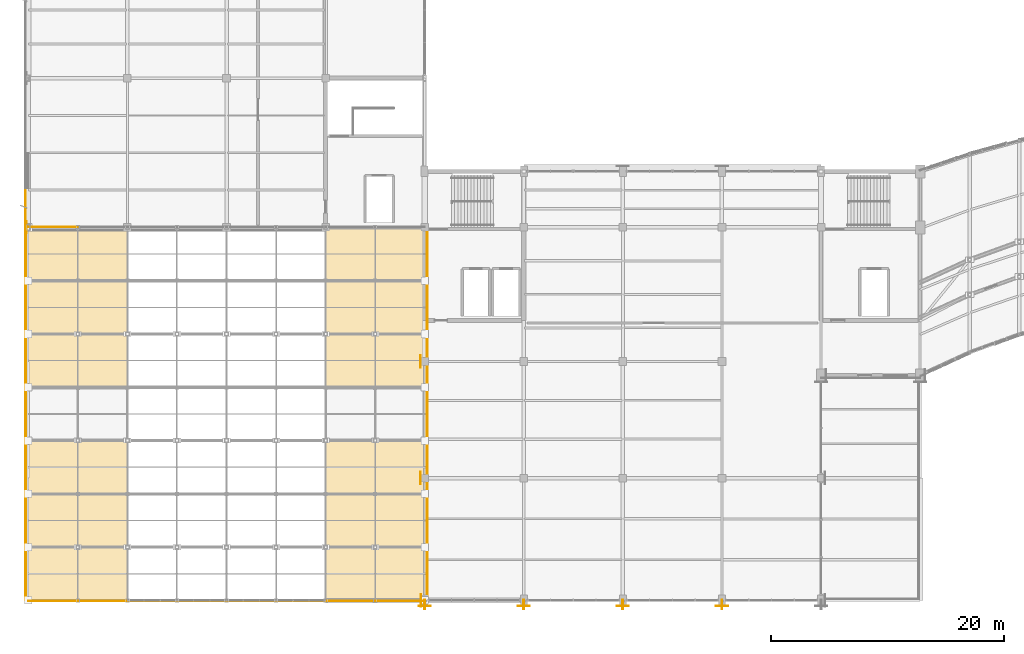
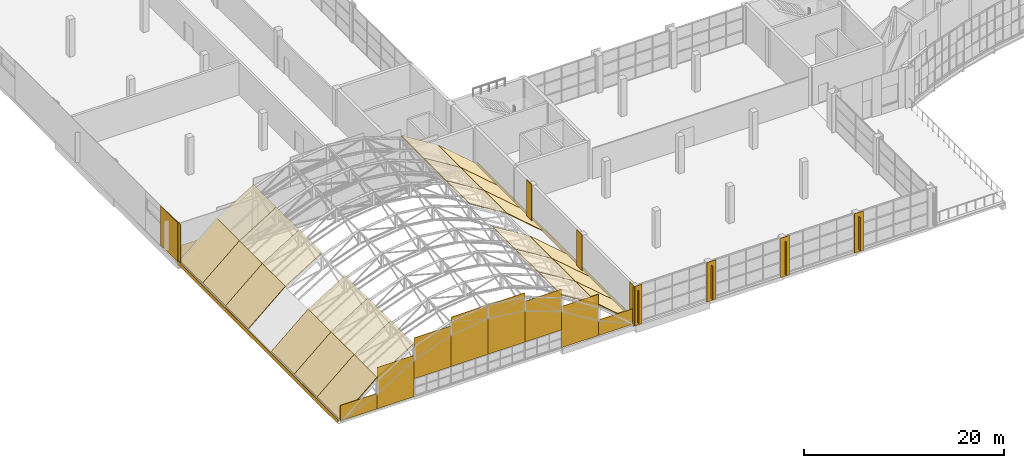
# One storey, part 77 of 86: 44 coverings, 4 shading devices.
"""IFC4 building model written with IfcOpenShell, lengths in metres."""

import ifcopenshell
import ifcopenshell.guid

model = None  # the IFC model being written
_history = None  # IfcOwnerHistory: only IFC2X3 demands one
_inside = {}  # id of a spatial element -> (the spatial element, [elements in it])
_under = {}  # id of a project, library or spatial element -> (it, [spatial elements below it])
_declared = {}  # id of a project -> (the project, [libraries it declares])
_typed = {}  # id of a type object -> (the type object, [elements of that type])
_made_of = {}  # id of a material, layer set ... -> (it, [elements and type objects made of it])


def new_model(schema):
    """Start an empty IFC model of exactly this schema.

    Asked for "IFC4X3", IfcOpenShell would pick the latest addendum, in which some entities
    have other attributes; the version numbers below select the first issue.
    IFC2X3 requires an IfcOwnerHistory on every rooted entity: one is made here for all.
    """
    global model, _history
    if schema == "IFC4X3":
        model = ifcopenshell.file(schema_version=(4, 3, 0, 0))
    else:
        model = ifcopenshell.file(schema=schema)
    _inside.clear()
    _under.clear()
    _declared.clear()
    _typed.clear()
    _made_of.clear()
    _history = None
    if model.schema == "IFC2X3":
        org = make("IfcOrganization", Name="unknown")
        user = make(
            "IfcPersonAndOrganization",
            ThePerson=make("IfcPerson", FamilyName="unknown"),
            TheOrganization=org,
        )
        app = make(
            "IfcApplication",
            ApplicationDeveloper=org,
            Version="unknown",
            ApplicationFullName="unknown",
            ApplicationIdentifier="unknown",
        )
        _history = make(
            "IfcOwnerHistory",
            OwningUser=user,
            OwningApplication=app,
            ChangeAction="ADDED",
            CreationDate=0,
        )
    return model


def make(cls, **values):
    """One entity of the class cls with the attributes given. An attribute that is None is left unset."""
    return model.create_entity(
        cls, **{name: value for name, value in values.items() if value is not None}
    )


def rooted(cls, **values):
    """An entity with a GlobalId (a new one), such as an element, a storey or a relation."""
    return make(cls, GlobalId=ifcopenshell.guid.new(), OwnerHistory=_history, **values)


def si_unit(unit_type, name, prefix=None):
    """IfcSIUnit, for example si_unit("LENGTHUNIT", "METRE", prefix="MILLI")."""
    return make("IfcSIUnit", UnitType=unit_type, Prefix=prefix, Name=name)


def assignment(units):
    """IfcUnitAssignment: the units of a project."""
    return None if units is None else make("IfcUnitAssignment", Units=units)


def point(xyz):
    """IfcCartesianPoint."""
    return None if xyz is None else make("IfcCartesianPoint", Coordinates=xyz)


def direction(xyz):
    """IfcDirection."""
    return None if xyz is None else make("IfcDirection", DirectionRatios=xyz)


def frame(location, z_axis=None, x_axis=None):
    """IfcAxis2Placement3D, a coordinate frame: its origin and axes. An axis left out is left unset."""
    return make(
        "IfcAxis2Placement3D",
        Location=point(location),
        Axis=direction(z_axis),
        RefDirection=direction(x_axis),
    )


def frame_2d(location, x_axis=None):
    """IfcAxis2Placement2D, a coordinate frame in the plane: its origin and x axis."""
    return make(
        "IfcAxis2Placement2D", Location=point(location), RefDirection=direction(x_axis)
    )


def origin():
    """The frame at (0, 0, 0) with its axes left unset."""
    return frame((0.0, 0.0, 0.0))


def origin_2d():
    """The frame at (0, 0) in the plane with its x axis left unset."""
    return frame_2d((0.0, 0.0))


def place(relative_to, where):
    """IfcLocalPlacement: puts the frame where relative to a parent placement (None: the world)."""
    return make(
        "IfcLocalPlacement", PlacementRelTo=relative_to, RelativePlacement=where
    )


def context(
    kind, dimensions, precision=None, world=None, true_north=None, identifier=None
):
    """IfcGeometricRepresentationContext, for example the 3D "Model" context."""
    return make(
        "IfcGeometricRepresentationContext",
        ContextIdentifier=identifier,
        ContextType=kind,
        CoordinateSpaceDimension=dimensions,
        Precision=precision,
        WorldCoordinateSystem=world,
        TrueNorth=true_north,
    )


def subcontext(parent, identifier, kind, view, scale=None):
    """IfcGeometricRepresentationSubContext, for example "Body" below "Model"."""
    return make(
        "IfcGeometricRepresentationSubContext",
        ContextIdentifier=identifier,
        ContextType=kind,
        ParentContext=parent,
        TargetScale=scale,
        TargetView=view,
    )


def project(units=None, contexts=None):
    """IfcProject with its units and contexts."""
    return rooted(
        "IfcProject",
        Name="project",
        RepresentationContexts=contexts,
        UnitsInContext=assignment(units),
    )


def spatial(cls, under=None, at=None, **own):
    """A site, building, storey or space (cls), placed at a placement, below another one or the project."""
    s = rooted(cls, ObjectPlacement=at, **own)
    if under is not None:
        _under.setdefault(under.id(), (under, []))[1].append(s)
    return s


def polyline(points):
    """IfcPolyline through the points."""
    return make("IfcPolyline", Points=[point(p) for p in points])


def profile(cls, at=None, kind="AREA", **sizes):
    """A parametric profile (cls). Its sizes go by their IFC names, for example OverallWidth=200.0."""
    return make(cls, ProfileType=kind, Position=at, **sizes)


def rectangle(**sizes):
    """IfcRectangleProfileDef."""
    return profile("IfcRectangleProfileDef", **sizes)


def hollow_rectangle(**sizes):
    """IfcRectangleHollowProfileDef."""
    return profile("IfcRectangleHollowProfileDef", **sizes)


def outline(outer, holes=None, kind="AREA"):
    """IfcArbitraryClosedProfileDef: a profile drawn as a closed curve; with holes, ...WithVoids."""
    if holes is None:
        return make("IfcArbitraryClosedProfileDef", ProfileType=kind, OuterCurve=outer)
    return make(
        "IfcArbitraryProfileDefWithVoids",
        ProfileType=kind,
        OuterCurve=outer,
        InnerCurves=holes,
    )


def extrude(swept, where, along, depth):
    """IfcExtrudedAreaSolid: the profile swept, set in the frame where, extruded along a direction by depth."""
    return make(
        "IfcExtrudedAreaSolid",
        SweptArea=swept,
        Position=where,
        ExtrudedDirection=direction(along),
        Depth=depth,
    )


def shape(context_of_items, identifier, shape_type, items):
    """IfcShapeRepresentation: the items that make up one representation, for example the "Body"."""
    return make(
        "IfcShapeRepresentation",
        ContextOfItems=context_of_items,
        RepresentationIdentifier=identifier,
        RepresentationType=shape_type,
        Items=items,
    )


def material(Name=None, Category=None):
    """IfcMaterial."""
    return make("IfcMaterial", Name=Name, Category=Category)


def layer(
    of_material, thickness, ventilated=None, Name=None, Category=None, Priority=None
):
    """IfcMaterialLayer: one layer of a wall or slab, of a material (None: an air gap)."""
    return make(
        "IfcMaterialLayer",
        Material=of_material,
        LayerThickness=thickness,
        IsVentilated=ventilated,
        Name=Name,
        Category=Category,
        Priority=Priority,
    )


def layer_set(layers, Name=None):
    """IfcMaterialLayerSet."""
    return make("IfcMaterialLayerSet", MaterialLayers=layers, LayerSetName=Name)


def material_profile(
    of_material, cross_section, Name=None, Category=None, Priority=None
):
    """IfcMaterialProfile: a cross section and its material."""
    return make(
        "IfcMaterialProfile",
        Name=Name,
        Material=of_material,
        Profile=cross_section,
        Priority=Priority,
        Category=Category,
    )


def profile_set(profiles, Name=None, composite=None):
    """IfcMaterialProfileSet."""
    return make(
        "IfcMaterialProfileSet",
        Name=Name,
        MaterialProfiles=profiles,
        CompositeProfile=composite,
    )


def made_of(thing, what):
    """Note that an element or type object is made of a material, layer set ...; save() writes the relation."""
    if what is not None:
        _made_of.setdefault(what.id(), (what, []))[1].append(thing)
    return thing


def type_object(cls, material=None, **own):
    """A type object (cls), such as IfcWallType, which elements share."""
    return made_of(rooted(cls, **own), material)


def element(
    cls,
    number,
    at=None,
    inside=None,
    cuts=None,
    type_object=None,
    material=None,
    context=None,
    identifier="Body",
    shape_type=None,
    held_by="IfcProductDefinitionShape",
    body=None,
    shapes=None,
    **own,
):
    """One element of the class cls, such as IfcWall. Its Tag is "e" and its number.

    at: its placement. inside: the storey or other place that contains it. cuts: it is an
    opening in that element (IfcRelVoidsElement). A single representation is given by context,
    identifier, shape_type and body (its items); several are given by shapes. held_by: the class
    of the entity that holds the representations. save() writes the other relations.
    """
    e = rooted(cls, Tag="e%d" % number, ObjectPlacement=at, **own)
    if body is not None:
        shapes = [shape(context, identifier, shape_type, body)]
    if shapes is not None:
        e.Representation = make(held_by, Representations=shapes)
    if inside is not None:
        _inside.setdefault(inside.id(), (inside, []))[1].append(e)
    if cuts is not None:
        rooted(
            "IfcRelVoidsElement", RelatingBuildingElement=cuts, RelatedOpeningElement=e
        )
    if type_object is not None:
        _typed.setdefault(type_object.id(), (type_object, []))[1].append(e)
    return made_of(e, material)


def aggregate(whole, parts):
    """IfcRelAggregates: a whole, such as a stair, and the parts it consists of."""
    return rooted("IfcRelAggregates", RelatingObject=whole, RelatedObjects=parts)


def save(model, path):
    """Write the relations noted so far, then the file.

    IfcRelAggregates (storeys below a building ...), IfcRelContainedInSpatialStructure (elements
    in a storey), IfcRelDefinesByType, IfcRelAssociatesMaterial and IfcRelDeclares: one each for
    every whole, place, type object, material and project.
    """
    for whole, parts in _under.values():
        aggregate(whole, parts)
    for where, things in _inside.values():
        rooted(
            "IfcRelContainedInSpatialStructure",
            RelatedElements=things,
            RelatingStructure=where,
        )
    for kind, things in _typed.values():
        rooted("IfcRelDefinesByType", RelatedObjects=things, RelatingType=kind)
    for what, things in _made_of.values():
        rooted("IfcRelAssociatesMaterial", RelatedObjects=things, RelatingMaterial=what)
    for by, libraries in _declared.values():
        rooted("IfcRelDeclares", RelatingContext=by, RelatedDefinitions=libraries)
    model.write(path)


model = new_model("IFC4")

# Units and contexts
model_context = context("Model", 3, precision=1e-05, world=origin(), true_north=direction((0.0, 1.0)))
body_context = subcontext(model_context, "Body", "Model", "MODEL_VIEW")
ifc_project = project(units=[si_unit("LENGTHUNIT", "METRE"), si_unit("AREAUNIT", "SQUARE_METRE"), si_unit("VOLUMEUNIT", "CUBIC_METRE"), si_unit("PLANEANGLEUNIT", "RADIAN"), si_unit("MASSUNIT", "GRAM", prefix="KILO")], contexts=[model_context])

# Site, building, storey
site_placement = place(None, origin())
site = spatial("IfcSite", under=ifc_project, at=site_placement, CompositionType="ELEMENT")
building_placement = place(site_placement, origin())
building = spatial("IfcBuilding", under=site, at=building_placement, Name="Solvikara Media Centre", CompositionType="ELEMENT")
storey_placement = place(building_placement, frame((0.0, 0.0, 15.0)))
storey = spatial("IfcBuildingStorey", under=building, at=storey_placement, Name="L03", CompositionType="ELEMENT", Elevation=15.0)

# Coverings
ifc_material_1 = material(Name="Insulated standing-seam aluminium-zinc acoustic roofing", Category="aluminium")
ifc_layer_1 = layer(ifc_material_1, 0.080078125)
ifc_layer_set_1 = layer_set([ifc_layer_1], Name="Insulated standing-seam aluminium-zinc acoustic roofing")
covering_type_1 = type_object("IfcCoveringType", Name="CV-03", PredefinedType="ROOFING", material=ifc_layer_set_1)
covering_1_placement = place(storey_placement, frame((0.0, 0.0, 0.080078125), z_axis=(-0.654063241736, 0.0, 0.756439869263), x_axis=(0.756439869263, 0.0, 0.654063241736)))
element("IfcCovering", 1, at=covering_1_placement, inside=storey, type_object=covering_type_1, Name="CV-GC-00-00", PredefinedType="ROOFING", context=body_context, shape_type="SweptSolid", body=[
    extrude(outline(polyline([(0.0, 0.0), (5.618424111018317, 0.0), (5.618424111018317, 4.571044921875001), (0.0, 4.571044921875001), (0.0, 0.0)])), origin(), (0.0, 0.0, -1.0), 0.080078125),
])
for number, where, z_axis, x_axis, name in (
    (2, (4.25, 0.0, 3.7548828125), (-0.525492880722, 0.0, 0.850797997359), (0.850797997359, 0.0, 0.525492880722), "CV-GC-00-01"),
    (3, (25.5, 0.0, 6.3798828125), (0.525492880722, 0.0, 0.850797997359), (0.850797997359, 0.0, -0.525492880722), "CV-GC-00-06"),
):
    element("IfcCovering", number, at=place(storey_placement, frame(where, z_axis=z_axis, x_axis=x_axis)), inside=storey, type_object=covering_type_1, Name=name, PredefinedType="ROOFING", context=body_context, shape_type="SweptSolid", body=[
        extrude(outline(polyline([(0.0, 0.0), (4.995310300672021, 0.0), (4.995310300672021, 4.571044921875), (0.0, 4.571044921875), (0.0, 0.0)])), origin(), (0.0, 0.0, -1.0), 0.080078125),
    ])
covering_2_placement = place(storey_placement, frame((29.75, 0.0, 3.7548828125), z_axis=(0.654063241736, 0.0, 0.756439869263), x_axis=(0.756439869263, 0.0, -0.654063241736)))
element("IfcCovering", 4, at=covering_2_placement, inside=storey, type_object=covering_type_1, Name="CV-GC-00-07", PredefinedType="ROOFING", context=body_context, shape_type="SweptSolid", body=[
    extrude(outline(polyline([(0.0, 0.0), (5.618424111018317, 0.0), (5.618424111018317, 4.571044921875001), (0.0, 4.571044921875001), (0.0, 0.0)])), origin(), (0.0, 0.0, -1.0), 0.080078125),
])
covering_3_placement = place(storey_placement, frame((0.0, 4.571044921875, 0.080078125), z_axis=(-0.654063241736, 0.0, 0.756439869263), x_axis=(0.756439869263, 0.0, 0.654063241736)))
element("IfcCovering", 5, at=covering_3_placement, inside=storey, type_object=covering_type_1, Name="CV-GC-01-00", PredefinedType="ROOFING", context=body_context, shape_type="SweptSolid", body=[
    extrude(outline(polyline([(0.0, 0.0), (5.618424111018317, 0.0), (5.618424111018317, 4.572021484375), (0.0, 4.572021484375), (0.0, 0.0)])), origin(), (0.0, 0.0, -1.0), 0.080078125),
])
for number, where, z_axis, x_axis, name in (
    (6, (4.25, 4.571044921875, 3.7548828125), (-0.525492880722, 0.0, 0.850797997359), (0.850797997359, 0.0, 0.525492880722), "CV-GC-01-01"),
    (7, (25.5, 4.571044921875, 6.3798828125), (0.525492880722, 0.0, 0.850797997359), (0.850797997359, 0.0, -0.525492880722), "CV-GC-01-06"),
):
    element("IfcCovering", number, at=place(storey_placement, frame(where, z_axis=z_axis, x_axis=x_axis)), inside=storey, type_object=covering_type_1, Name=name, PredefinedType="ROOFING", context=body_context, shape_type="SweptSolid", body=[
        extrude(outline(polyline([(0.0, 0.0), (4.995310300672021, 0.0), (4.995310300672021, 4.572021484375), (0.0, 4.572021484375), (0.0, 0.0)])), origin(), (0.0, 0.0, -1.0), 0.080078125),
    ])
covering_4_placement = place(storey_placement, frame((29.75, 4.571044921875, 3.7548828125), z_axis=(0.654063241736, 0.0, 0.756439869263), x_axis=(0.756439869263, 0.0, -0.654063241736)))
element("IfcCovering", 8, at=covering_4_placement, inside=storey, type_object=covering_type_1, Name="CV-GC-01-07", PredefinedType="ROOFING", context=body_context, shape_type="SweptSolid", body=[
    extrude(outline(polyline([(0.0, 0.0), (5.618424111018317, 0.0), (5.618424111018317, 4.572021484375), (0.0, 4.572021484375), (0.0, 0.0)])), origin(), (0.0, 0.0, -1.0), 0.080078125),
])
covering_5_placement = place(storey_placement, frame((0.0, 9.14306640625, 0.080078125), z_axis=(-0.654063241736, 0.0, 0.756439869263), x_axis=(0.756439869263, 0.0, 0.654063241736)))
element("IfcCovering", 9, at=covering_5_placement, inside=storey, type_object=covering_type_1, Name="CV-GC-02-00", PredefinedType="ROOFING", context=body_context, shape_type="SweptSolid", body=[
    extrude(outline(polyline([(0.0, 0.0), (5.618424111018317, 0.0), (5.618424111018317, 4.571044921875001), (0.0, 4.571044921875001), (0.0, 0.0)])), origin(), (0.0, 0.0, -1.0), 0.080078125),
])
for number, where, z_axis, x_axis, name in (
    (10, (4.25, 9.14306640625, 3.7548828125), (-0.525492880722, 0.0, 0.850797997359), (0.850797997359, 0.0, 0.525492880722), "CV-GC-02-01"),
    (11, (25.5, 9.14306640625, 6.3798828125), (0.525492880722, 0.0, 0.850797997359), (0.850797997359, 0.0, -0.525492880722), "CV-GC-02-06"),
):
    element("IfcCovering", number, at=place(storey_placement, frame(where, z_axis=z_axis, x_axis=x_axis)), inside=storey, type_object=covering_type_1, Name=name, PredefinedType="ROOFING", context=body_context, shape_type="SweptSolid", body=[
        extrude(outline(polyline([(0.0, 0.0), (4.995310300672021, 0.0), (4.995310300672021, 4.571044921875), (0.0, 4.571044921875), (0.0, 0.0)])), origin(), (0.0, 0.0, -1.0), 0.080078125),
    ])
for number, where, z_axis, x_axis, name in (
    (12, (29.75, 9.14306640625, 3.7548828125), (0.654063241736, 0.0, 0.756439869263), (0.756439869263, 0.0, -0.654063241736), "CV-GC-02-07"),
    (13, (0.0, 18.285888671875, 0.080078125), (-0.654063241736, 0.0, 0.756439869263), (0.756439869263, 0.0, 0.654063241736), "CV-GC-04-00"),
):
    element("IfcCovering", number, at=place(storey_placement, frame(where, z_axis=z_axis, x_axis=x_axis)), inside=storey, type_object=covering_type_1, Name=name, PredefinedType="ROOFING", context=body_context, shape_type="SweptSolid", body=[
        extrude(outline(polyline([(0.0, 0.0), (5.618424111018317, 0.0), (5.618424111018317, 4.571044921875001), (0.0, 4.571044921875001), (0.0, 0.0)])), origin(), (0.0, 0.0, -1.0), 0.080078125),
    ])
for number, where, z_axis, x_axis, name in (
    (14, (4.25, 18.285888671875, 3.7548828125), (-0.525492880722, 0.0, 0.850797997359), (0.850797997359, 0.0, 0.525492880722), "CV-GC-04-01"),
    (15, (25.5, 18.285888671875, 6.3798828125), (0.525492880722, 0.0, 0.850797997359), (0.850797997359, 0.0, -0.525492880722), "CV-GC-04-06"),
):
    element("IfcCovering", number, at=place(storey_placement, frame(where, z_axis=z_axis, x_axis=x_axis)), inside=storey, type_object=covering_type_1, Name=name, PredefinedType="ROOFING", context=body_context, shape_type="SweptSolid", body=[
        extrude(outline(polyline([(0.0, 0.0), (4.995310300672021, 0.0), (4.995310300672021, 4.571044921875), (0.0, 4.571044921875), (0.0, 0.0)])), origin(), (0.0, 0.0, -1.0), 0.080078125),
    ])
covering_6_placement = place(storey_placement, frame((29.75, 18.285888671875, 3.7548828125), z_axis=(0.654063241736, 0.0, 0.756439869263), x_axis=(0.756439869263, 0.0, -0.654063241736)))
element("IfcCovering", 16, at=covering_6_placement, inside=storey, type_object=covering_type_1, Name="CV-GC-04-07", PredefinedType="ROOFING", context=body_context, shape_type="SweptSolid", body=[
    extrude(outline(polyline([(0.0, 0.0), (5.618424111018317, 0.0), (5.618424111018317, 4.571044921875001), (0.0, 4.571044921875001), (0.0, 0.0)])), origin(), (0.0, 0.0, -1.0), 0.080078125),
])
covering_7_placement = place(storey_placement, frame((0.0, 22.85693359375, 0.080078125), z_axis=(-0.654063241736, 0.0, 0.756439869263), x_axis=(0.756439869263, 0.0, 0.654063241736)))
element("IfcCovering", 17, at=covering_7_placement, inside=storey, type_object=covering_type_1, Name="CV-GC-05-00", PredefinedType="ROOFING", context=body_context, shape_type="SweptSolid", body=[
    extrude(outline(polyline([(0.0, 0.0), (5.618424111018317, 0.0), (5.618424111018317, 4.572021484375), (0.0, 4.572021484375), (0.0, 0.0)])), origin(), (0.0, 0.0, -1.0), 0.080078125),
])
for number, where, z_axis, x_axis, name in (
    (18, (4.25, 22.85693359375, 3.7548828125), (-0.525492880722, 0.0, 0.850797997359), (0.850797997359, 0.0, 0.525492880722), "CV-GC-05-01"),
    (19, (25.5, 22.85693359375, 6.3798828125), (0.525492880722, 0.0, 0.850797997359), (0.850797997359, 0.0, -0.525492880722), "CV-GC-05-06"),
):
    element("IfcCovering", number, at=place(storey_placement, frame(where, z_axis=z_axis, x_axis=x_axis)), inside=storey, type_object=covering_type_1, Name=name, PredefinedType="ROOFING", context=body_context, shape_type="SweptSolid", body=[
        extrude(outline(polyline([(0.0, 0.0), (4.995310300672021, 0.0), (4.995310300672021, 4.572021484375), (0.0, 4.572021484375), (0.0, 0.0)])), origin(), (0.0, 0.0, -1.0), 0.080078125),
    ])
covering_8_placement = place(storey_placement, frame((29.75, 22.85693359375, 3.7548828125), z_axis=(0.654063241736, 0.0, 0.756439869263), x_axis=(0.756439869263, 0.0, -0.654063241736)))
element("IfcCovering", 20, at=covering_8_placement, inside=storey, type_object=covering_type_1, Name="CV-GC-05-07", PredefinedType="ROOFING", context=body_context, shape_type="SweptSolid", body=[
    extrude(outline(polyline([(0.0, 0.0), (5.618424111018317, 0.0), (5.618424111018317, 4.572021484375), (0.0, 4.572021484375), (0.0, 0.0)])), origin(), (0.0, 0.0, -1.0), 0.080078125),
])
covering_9_placement = place(storey_placement, frame((0.0, 27.428955078125, 0.080078125), z_axis=(-0.654063241736, 0.0, 0.756439869263), x_axis=(0.756439869263, 0.0, 0.654063241736)))
element("IfcCovering", 21, at=covering_9_placement, inside=storey, type_object=covering_type_1, Name="CV-GC-06-00", PredefinedType="ROOFING", context=body_context, shape_type="SweptSolid", body=[
    extrude(outline(polyline([(0.0, 0.0), (5.618424111018317, 0.0), (5.618424111018317, 4.571044921875001), (0.0, 4.571044921875001), (0.0, 0.0)])), origin(), (0.0, 0.0, -1.0), 0.080078125),
])
for number, where, z_axis, x_axis, name in (
    (22, (4.25, 27.428955078125, 3.7548828125), (-0.525492880722, 0.0, 0.850797997359), (0.850797997359, 0.0, 0.525492880722), "CV-GC-06-01"),
    (23, (25.5, 27.428955078125, 6.3798828125), (0.525492880722, 0.0, 0.850797997359), (0.850797997359, 0.0, -0.525492880722), "CV-GC-06-06"),
):
    element("IfcCovering", number, at=place(storey_placement, frame(where, z_axis=z_axis, x_axis=x_axis)), inside=storey, type_object=covering_type_1, Name=name, PredefinedType="ROOFING", context=body_context, shape_type="SweptSolid", body=[
        extrude(outline(polyline([(0.0, 0.0), (4.995310300672021, 0.0), (4.995310300672021, 4.571044921875), (0.0, 4.571044921875), (0.0, 0.0)])), origin(), (0.0, 0.0, -1.0), 0.080078125),
    ])
covering_10_placement = place(storey_placement, frame((29.75, 27.428955078125, 3.7548828125), z_axis=(0.654063241736, 0.0, 0.756439869263), x_axis=(0.756439869263, 0.0, -0.654063241736)))
element("IfcCovering", 24, at=covering_10_placement, inside=storey, type_object=covering_type_1, Name="CV-GC-06-07", PredefinedType="ROOFING", context=body_context, shape_type="SweptSolid", body=[
    extrude(outline(polyline([(0.0, 0.0), (5.618424111018317, 0.0), (5.618424111018317, 4.571044921875001), (0.0, 4.571044921875001), (0.0, 0.0)])), origin(), (0.0, 0.0, -1.0), 0.080078125),
])
ifc_material_2 = material(Name="GFRC white mineral architectural rainscreen panel")
ifc_layer_2 = layer(ifc_material_2, 0.050048828125)
ifc_layer_set_2 = layer_set([ifc_layer_2], Name="GFRC white mineral architectural rainscreen panel")
covering_type_2 = type_object("IfcCoveringType", Name="CV-04", PredefinedType="CLADDING", material=ifc_layer_set_2)
for number, where, z_axis, x_axis, name in (
    (25, (-0.175048828125, 32.0, 0.0), (0.0, 0.0, 1.0), (0.0, -1.0, 0.0), "PIL-L03-016"),
    (26, (33.675048828125, 0.0, 0.0), (0.0, 0.0, 1.0), (0.0, -1.0, 0.0), "PIL-L03-099"),
    (27, (34.0, -0.47509765625, 0.0), (0.0, 0.0, 1.0), (1.0, 0.0, 0.0), "PIL-L03-100"),
    (28, (33.64990234375, 10.5, 0.0), (0.0, 0.0, 1.0), (0.0, -1.0, 0.0), "PIL-L03-103"),
    (29, (33.64990234375, 20.5, 0.0), (0.0, 0.0, 1.0), (0.0, -1.0, 0.0), "PIL-L03-105"),
    (30, (42.5, -0.47509765625, 0.0), (0.0, 0.0, 1.0), (1.0, 0.0, 0.0), "PIL-L03-110"),
    (31, (51.0, -0.47509765625, 0.0), (0.0, 0.0, 1.0), (1.0, 0.0, 0.0), "PIL-L03-115"),
    (32, (59.5, -0.47509765625, 0.0), (0.0, 0.0, 1.0), (1.0, 0.0, 0.0), "PIL-L03-130"),
):
    element("IfcCovering", number, at=place(storey_placement, frame(where, z_axis=z_axis, x_axis=x_axis)), inside=storey, type_object=covering_type_2, Name=name, PredefinedType="CLADDING", context=body_context, shape_type="SweptSolid", body=[
        extrude(rectangle(XDim=1.0400390625, YDim=0.050048828125, at=origin_2d()), origin(), (0.0, 0.0, 1.0), 4.800048828125),
    ])
covering_11_placement = place(storey_placement, frame((2.125, -0.0400390625, -0.050537109375), z_axis=(0.0, 0.0, 1.0), x_axis=(1.0, 0.0, 0.0)))
element("IfcCovering", 33, at=covering_11_placement, inside=storey, type_object=covering_type_2, Name="TYM-GC-S-00", PredefinedType="CLADDING", context=body_context, shape_type="SweptSolid", body=[
    extrude(rectangle(XDim=4.25, YDim=0.050048828125, at=origin_2d()), origin(), (0.0, 0.0, 1.0), 1.87890625),
])
covering_12_placement = place(storey_placement, frame((6.375, -0.0400390625, -0.04931640625), z_axis=(0.0, 0.0, 1.0), x_axis=(1.0, 0.0, 0.0)))
element("IfcCovering", 34, at=covering_12_placement, inside=storey, type_object=covering_type_2, Name="TYM-GC-S-01", PredefinedType="CLADDING", context=body_context, shape_type="SweptSolid", body=[
    extrude(rectangle(XDim=4.25, YDim=0.050048828125, at=origin_2d()), origin(), (0.0, 0.0, 1.0), 5.029052734375),
])
covering_13_placement = place(storey_placement, frame((10.625, -0.0400390625, 2.11962890625), z_axis=(0.0, 0.0, 1.0), x_axis=(1.0, 0.0, 0.0)))
element("IfcCovering", 35, at=covering_13_placement, inside=storey, type_object=covering_type_2, Name="TYM-GC-S-02", PredefinedType="CLADDING", context=body_context, shape_type="SweptSolid", body=[
    extrude(rectangle(XDim=4.25, YDim=0.050048828125, at=origin_2d()), origin(), (0.0, 0.0, 1.0), 4.958984375),
])
for number, where, z_axis, x_axis, name in (
    (36, (14.875, -0.0400390625, 2.12060546875), (0.0, 0.0, 1.0), (1.0, 0.0, 0.0), "TYM-GC-S-03"),
    (37, (19.125, -0.0400390625, 2.12060546875), (0.0, 0.0, 1.0), (1.0, 0.0, 0.0), "TYM-GC-S-04"),
):
    element("IfcCovering", number, at=place(storey_placement, frame(where, z_axis=z_axis, x_axis=x_axis)), inside=storey, type_object=covering_type_2, Name=name, PredefinedType="CLADDING", context=body_context, shape_type="SweptSolid", body=[
        extrude(rectangle(XDim=4.25, YDim=0.050048828125, at=origin_2d()), origin(), (0.0, 0.0, 1.0), 6.009033203125),
    ])
covering_14_placement = place(storey_placement, frame((23.375, -0.0400390625, 2.11962890625), z_axis=(0.0, 0.0, 1.0), x_axis=(1.0, 0.0, 0.0)))
element("IfcCovering", 38, at=covering_14_placement, inside=storey, type_object=covering_type_2, Name="TYM-GC-S-05", PredefinedType="CLADDING", context=body_context, shape_type="SweptSolid", body=[
    extrude(rectangle(XDim=4.25, YDim=0.050048828125, at=origin_2d()), origin(), (0.0, 0.0, 1.0), 4.958984375),
])
covering_15_placement = place(storey_placement, frame((27.625, -0.0400390625, -0.04931640625), z_axis=(0.0, 0.0, 1.0), x_axis=(1.0, 0.0, 0.0)))
element("IfcCovering", 39, at=covering_15_placement, inside=storey, type_object=covering_type_2, Name="TYM-GC-S-06", PredefinedType="CLADDING", context=body_context, shape_type="SweptSolid", body=[
    extrude(rectangle(XDim=4.25, YDim=0.050048828125, at=origin_2d()), origin(), (0.0, 0.0, 1.0), 5.029052734375),
])
for number, where, z_axis, x_axis, name in (
    (40, (31.875, -0.0400390625, -0.050537109375), (0.0, 0.0, 1.0), (1.0, 0.0, 0.0), "TYM-GC-S-07"),
    (41, (2.125, 32.0400390625, -0.050537109375), (0.0, 0.0, 1.0), (1.0, 0.0, 0.0), "TYM-GC-N-00"),
):
    element("IfcCovering", number, at=place(storey_placement, frame(where, z_axis=z_axis, x_axis=x_axis)), inside=storey, type_object=covering_type_2, Name=name, PredefinedType="CLADDING", context=body_context, shape_type="SweptSolid", body=[
        extrude(rectangle(XDim=4.25, YDim=0.050048828125, at=origin_2d()), origin(), (0.0, 0.0, 1.0), 1.87890625),
    ])
for number, where, z_axis, x_axis, name in (
    (42, (-0.219970703125, 16.0, -0.35009765625), (0.0, 0.0, 1.0), (0.0, 1.0, 0.0), "TYM-GC-EAVE-W"),
    (43, (34.219970703125, 16.0, -0.35009765625), (0.0, 0.0, 1.0), (0.0, 1.0, 0.0), "TYM-GC-EAVE-E"),
):
    element("IfcCovering", number, at=place(storey_placement, frame(where, z_axis=z_axis, x_axis=x_axis)), inside=storey, type_object=covering_type_2, Name=name, PredefinedType="CLADDING", context=body_context, shape_type="SweptSolid", body=[
        extrude(rectangle(XDim=32.0, YDim=0.050048828125, at=origin_2d()), origin(), (0.0, 0.0, 1.0), 0.5),
    ])
covering_16_placement = place(storey_placement, frame((-0.2451171875, 33.675048828125, 0.0), z_axis=(0.0, 0.0, 1.0), x_axis=(0.0, 1.0, 0.0)))
element("IfcCovering", 44, at=covering_16_placement, inside=storey, type_object=covering_type_2, Name="L03-V4W-CV-F01", PredefinedType="CLADDING", context=body_context, shape_type="SweptSolid", body=[
    extrude(rectangle(XDim=3.35009765625, YDim=0.050048828125, at=origin_2d()), origin(), (0.0, 0.0, 1.0), 4.800048828125),
])

# Shading devices
ifc_material_3 = material(Name="Anodised aluminium EN AW-6063", Category="aluminium")
ifc_material_profile = material_profile(ifc_material_3, hollow_rectangle(XDim=0.080078125, YDim=0.800048828125, WallThickness=0.00390625, at=origin_2d()), Name="ALU-FIN 80x800x4")
ifc_profile_set = profile_set([ifc_material_profile], Name="Anodised aluminium EN AW-6063")
shading_device_type = type_object("IfcShadingDeviceType", Name="SH-01", PredefinedType="USERDEFINED", material=ifc_profile_set)
for number, where, z_axis, x_axis, name in (
    (45, (34.0, -0.35009765625, 0.300048828125), (0.0, 0.0, 1.0), (1.0, 0.0, 0.0), "FIN-L03-011"),
    (46, (42.5, -0.35009765625, 0.300048828125), (0.0, 0.0, 1.0), (1.0, 0.0, 0.0), "FIN-L03-012"),
    (47, (51.0, -0.35009765625, 0.300048828125), (0.0, 0.0, 1.0), (1.0, 0.0, 0.0), "FIN-L03-013"),
    (48, (59.5, -0.35009765625, 0.300048828125), (0.0, 0.0, 1.0), (1.0, 0.0, 0.0), "FIN-L03-014"),
):
    element("IfcShadingDevice", number, at=place(storey_placement, frame(where, z_axis=z_axis, x_axis=x_axis)), inside=storey, type_object=shading_device_type, Name=name, ObjectType="FIN", PredefinedType="USERDEFINED", context=body_context, shape_type="SweptSolid", body=[
        extrude(hollow_rectangle(XDim=0.080078125, YDim=0.800048828125, WallThickness=0.00390625, at=origin_2d()), origin(), (0.0, 0.0, 1.0), 4.0),
    ])

save(model, "model.ifc")
